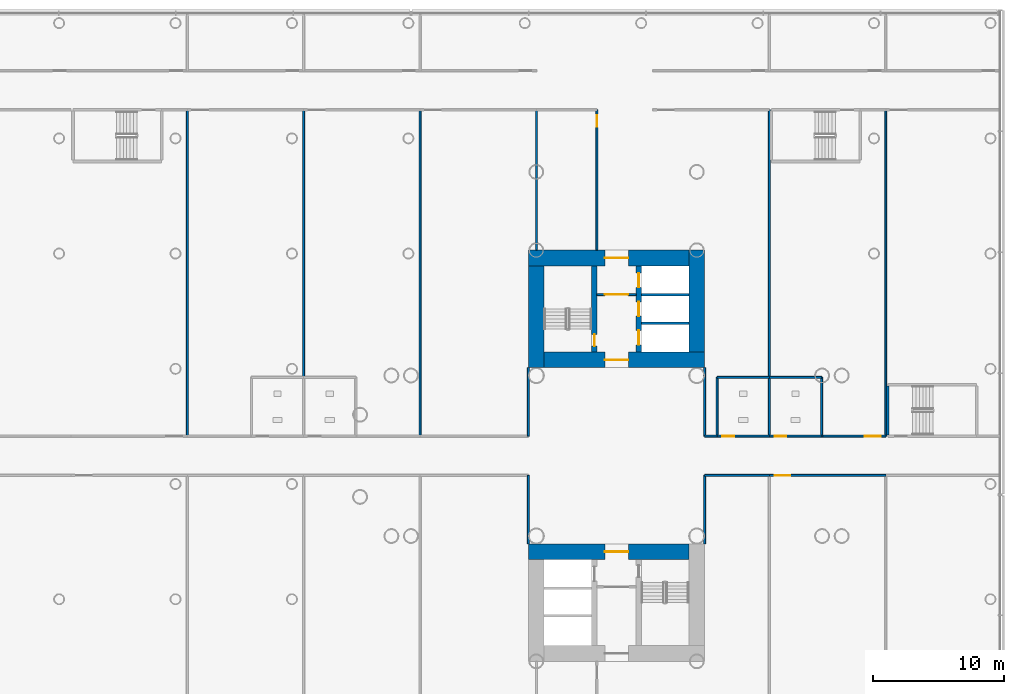
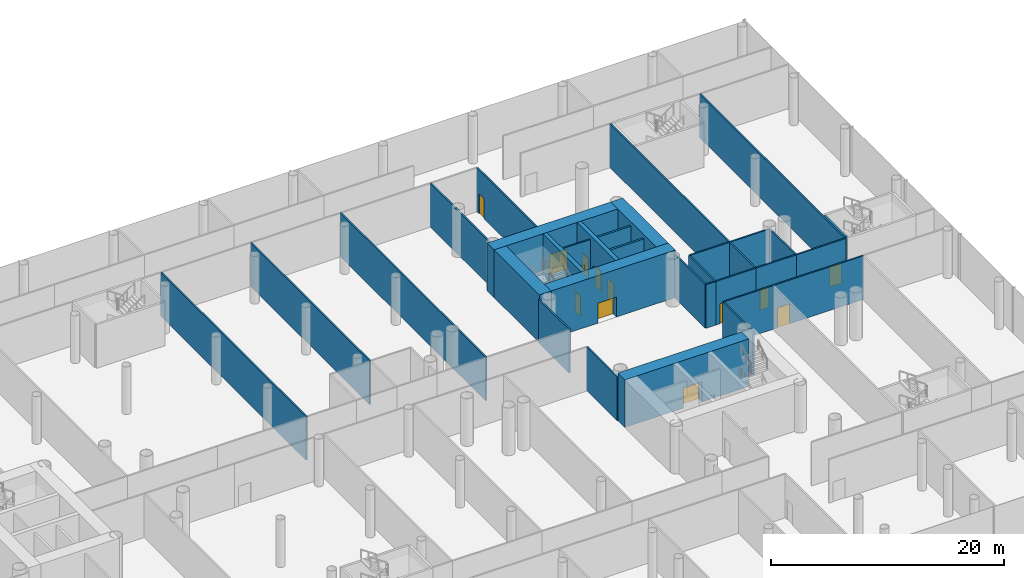
# One storey, part 22 of 59: 33 walls, 13 doors, 13 openings.
"""IFC4 building model written with IfcOpenShell, lengths in metres."""

from ifc_helpers import new_model, si_unit, direction, frame, frame_2d, origin, place, context, subcontext, project, spatial, rectangle, extrude, material, layer, layer_set, type_object, element, fill, save


model = new_model("IFC4")

# Units and contexts
model_context = context("Model", 3, precision=1e-05, world=origin(), true_north=direction((0.0, 1.0)))
body_context = subcontext(model_context, "Body", "Model", "MODEL_VIEW")
ifc_project = project(units=[si_unit("LENGTHUNIT", "METRE"), si_unit("AREAUNIT", "SQUARE_METRE"), si_unit("VOLUMEUNIT", "CUBIC_METRE"), si_unit("PLANEANGLEUNIT", "RADIAN"), si_unit("MASSUNIT", "GRAM", prefix="KILO")], contexts=[model_context])

# Site, building, storey
site_placement = place(None, origin())
site = spatial("IfcSite", under=ifc_project, at=site_placement, CompositionType="ELEMENT")
building_placement = place(site_placement, origin())
building = spatial("IfcBuilding", under=site, at=building_placement, Name="Ipe Terrace Towers", CompositionType="ELEMENT")
storey_placement = place(building_placement, frame((0.0, 0.0, 6.0)))
storey = spatial("IfcBuildingStorey", under=building, at=storey_placement, Name="L01", CompositionType="ELEMENT", Elevation=6.0)

# Wall, opening, door
ifc_material_1 = material(Name="Gypsum board partition", Category="plasterboard")
ifc_layer_1 = layer(ifc_material_1, 0.14990234375)
ifc_layer_set_1 = layer_set([ifc_layer_1], Name="Gypsum board partition 150 mm")
wall_type_1 = type_object("IfcWallType", Name="Gypsum board partition 150 mm", PredefinedType="PARTITIONING", material=ifc_layer_set_1)
wall_1_placement = place(storey_placement, frame((37.5, 12.35009765625, 0.0), z_axis=(0.0, 0.0, 1.0), x_axis=(-1.0, 0.0, 0.0)))
wall_1 = element("IfcWall", 1, at=wall_1_placement, inside=storey, type_object=wall_type_1, Name="Gypsum board partition T2 L01 t2c1-lobby-wall", PredefinedType="PARTITIONING", context=body_context, shape_type="SweptSolid", body=[
    extrude(rectangle(XDim=3.0, YDim=0.14990234375, at=frame_2d((1.5, 0.0))), origin(), (0.0, 0.0, 1.0), 4.580078125),
])
opening_1_placement = place(wall_1_placement, frame((0.60009765625, 0.0, 0.0)))
opening_1 = element("IfcOpeningElement", 2, at=opening_1_placement, cuts=wall_1, Name="Opening T2C1-VD", PredefinedType="OPENING", context=body_context, shape_type="SweptSolid", body=[
    extrude(rectangle(XDim=1.800048828125, YDim=2.10009765625, at=frame_2d((0.89990234375, 1.050048828125))), frame((0.0, 0.0849609375, 0.0), z_axis=(0.0, -1.0, 0.0), x_axis=(1.0, 0.0, 0.0)), (0.0, 0.0, 1.0), 0.169921875),
])
ifc_material_2 = material(Name="Fire-rated timber door leaf", Category="wood")
door_type_1 = type_object("IfcDoorType", Name="Lobby door 1800 x 2100 FD60", OperationType="NOTDEFINED", PredefinedType="DOOR", material=ifc_material_2)
door_1_placement = place(opening_1_placement, origin())
door_1 = element("IfcDoor", 3, at=door_1_placement, inside=storey, type_object=door_type_1, Name="Lobby door T2C1-VD", OperationType="SINGLE_SWING_LEFT", OverallHeight=2.10009765625, OverallWidth=1.800048828125, PredefinedType="DOOR", context=body_context, shape_type="SweptSolid", body=[
    extrude(rectangle(XDim=1.800048828125, YDim=2.10009765625, at=frame_2d((0.89990234375, 1.050048828125))), frame((0.0, 0.02490234375, 0.0), z_axis=(0.0, -1.0, 0.0), x_axis=(1.0, 0.0, 0.0)), (0.0, 0.0, 1.0), 0.050048828125),
])
fill(opening_1, door_1)

# Walls
wall_2_placement = place(storey_placement, frame((3.110107421875, 26.5, 0.0), z_axis=(0.0, 0.0, 1.0), x_axis=(0.0, -1.0, 0.0)))
element("IfcWall", 4, at=wall_2_placement, inside=storey, type_object=wall_type_1, Name="Gypsum board partition T2 L01 pd-r31-r32-w9", PredefinedType="PARTITIONING", context=body_context, shape_type="SweptSolid", body=[
    extrude(rectangle(XDim=25.0, YDim=0.14990234375, at=frame_2d((12.5, 0.0))), origin(), (0.0, 0.0, 1.0), 4.580078125),
])
wall_3_placement = place(storey_placement, frame((12.030029296875, 26.5, 0.0), z_axis=(0.0, 0.0, 1.0), x_axis=(0.0, -1.0, 0.0)))
element("IfcWall", 5, at=wall_3_placement, inside=storey, type_object=wall_type_1, Name="Gypsum board partition T2 L01 pd-r32-r39-w12", PredefinedType="PARTITIONING", context=body_context, shape_type="SweptSolid", body=[
    extrude(rectangle(XDim=20.5, YDim=0.14990234375, at=frame_2d((10.25, 0.0))), origin(), (0.0, 0.0, 1.0), 4.580078125),
])
wall_4_placement = place(storey_placement, frame((20.949951171875, 26.5, 0.0), z_axis=(0.0, 0.0, 1.0), x_axis=(0.0, -1.0, 0.0)))
element("IfcWall", 6, at=wall_4_placement, inside=storey, type_object=wall_type_1, Name="Gypsum board partition T2 L01 pd-r39-r41-w29", PredefinedType="PARTITIONING", context=body_context, shape_type="SweptSolid", body=[
    extrude(rectangle(XDim=25.0, YDim=0.14990234375, at=frame_2d((12.5, 0.0))), origin(), (0.0, 0.0, 1.0), 4.580078125),
])
for number, where, z_axis, x_axis, name in (
    (7, (29.25, -1.5, 0.0), (0.0, 0.0, 1.0), (0.0, -1.0, 0.0), "Gypsum board partition T2 L01 pd-r40-w30"),
    (8, (29.25, 6.75, 0.0), (0.0, 0.0, 1.0), (0.0, -1.0, 0.0), "Gypsum board partition T2 L01 pd-r41-w35"),
):
    element("IfcWall", number, at=place(storey_placement, frame(where, z_axis=z_axis, x_axis=x_axis)), inside=storey, type_object=wall_type_1, Name=name, PredefinedType="PARTITIONING", context=body_context, shape_type="SweptSolid", body=[
        extrude(rectangle(XDim=5.25, YDim=0.14990234375, at=frame_2d((2.625, 0.0))), origin(), (0.0, 0.0, 1.0), 4.580078125),
    ])
wall_5_placement = place(storey_placement, frame((29.8701171875, 26.5, 0.0), z_axis=(0.0, 0.0, 1.0), x_axis=(0.0, -1.0, 0.0)))
element("IfcWall", 9, at=wall_5_placement, inside=storey, type_object=wall_type_1, Name="Gypsum board partition T2 L01 pd-r41-r46-w37", PredefinedType="PARTITIONING", context=body_context, shape_type="SweptSolid", body=[
    extrude(rectangle(XDim=10.75, YDim=0.14990234375, at=frame_2d((5.375, 0.0))), origin(), (0.0, 0.0, 1.0), 4.580078125),
])

# Wall, opening, door
wall_6_placement = place(storey_placement, frame((34.5, 26.5, 0.0), z_axis=(0.0, 0.0, 1.0), x_axis=(0.0, -1.0, 0.0)))
wall_6 = element("IfcWall", 10, at=wall_6_placement, inside=storey, type_object=wall_type_1, Name="Gypsum board partition T2 L01 pd-r46-w45", PredefinedType="PARTITIONING", context=body_context, shape_type="SweptSolid", body=[
    extrude(rectangle(XDim=10.75, YDim=0.14990234375, at=frame_2d((5.375, 0.0))), origin(), (0.0, 0.0, 1.0), 4.580078125),
])
opening_2_placement = place(wall_6_placement, frame((0.39990234375, 0.0, 0.0)))
opening_2 = element("IfcOpeningElement", 11, at=opening_2_placement, cuts=wall_6, Name="Opening PD-L01-r46", PredefinedType="OPENING", context=body_context, shape_type="SweptSolid", body=[
    extrude(rectangle(XDim=0.89990234375, YDim=2.10009765625, at=frame_2d((0.449951171875, 1.050048828125))), frame((0.0, 0.0849609375, 0.0), z_axis=(0.0, -1.0, 0.0), x_axis=(1.0, 0.0, 0.0)), (0.0, 0.0, 1.0), 0.169921875),
])
ifc_material_3 = material(Name="Fire-rated timber door leaf", Category="wood")
door_type_2 = type_object("IfcDoorType", Name="Lounge door 900 x 2100 FD30S", OperationType="NOTDEFINED", PredefinedType="DOOR", material=ifc_material_3)
door_2_placement = place(opening_2_placement, origin())
door_2 = element("IfcDoor", 12, at=door_2_placement, inside=storey, type_object=door_type_2, Name="Lounge door PD-L01-r46", OperationType="SINGLE_SWING_RIGHT", OverallHeight=2.10009765625, OverallWidth=0.89990234375, PredefinedType="DOOR", context=body_context, shape_type="SweptSolid", body=[
    extrude(rectangle(XDim=0.89990234375, YDim=2.10009765625, at=frame_2d((0.449951171875, 1.050048828125))), frame((0.0, 0.02490234375, 0.0), z_axis=(0.0, -1.0, 0.0), x_axis=(1.0, 0.0, 0.0)), (0.0, 0.0, 1.0), 0.050048828125),
])
fill(opening_2, door_2)

# Walls
wall_7_placement = place(storey_placement, frame((43.7099609375, 1.5, 0.0), z_axis=(0.0, 0.0, 1.0), x_axis=(-1.0, 0.0, 0.0)))
element("IfcWall", 13, at=wall_7_placement, inside=storey, type_object=wall_type_1, Name="Gypsum board partition T2 L01 pd-r49-w51", PredefinedType="PARTITIONING", context=body_context, shape_type="SweptSolid", body=[
    extrude(rectangle(XDim=0.9599609375, YDim=0.14990234375, at=frame_2d((0.47998046875, 0.0))), origin(), (0.0, 0.0, 1.0), 4.580078125),
])
wall_8_placement = place(storey_placement, frame((42.75, 1.5, 0.0), z_axis=(0.0, 0.0, 1.0), x_axis=(0.0, 1.0, 0.0)))
element("IfcWall", 14, at=wall_8_placement, inside=storey, type_object=wall_type_1, Name="Gypsum board partition T2 L01 pd-r49-w52", PredefinedType="PARTITIONING", context=body_context, shape_type="SweptSolid", body=[
    extrude(rectangle(XDim=5.25, YDim=0.14990234375, at=frame_2d((2.625, 0.0))), origin(), (0.0, 0.0, 1.0), 4.580078125),
])
wall_9_placement = place(storey_placement, frame((47.7099609375, 26.5, 0.0), z_axis=(0.0, 0.0, 1.0), x_axis=(0.0, -1.0, 0.0)))
element("IfcWall", 15, at=wall_9_placement, inside=storey, type_object=wall_type_1, Name="Gypsum board partition T2 L01 pd-r49-r54-w54", PredefinedType="PARTITIONING", context=body_context, shape_type="SweptSolid", body=[
    extrude(rectangle(XDim=20.5, YDim=0.14990234375, at=frame_2d((10.25, 0.0))), origin(), (0.0, 0.0, 1.0), 4.580078125),
])
wall_10_placement = place(storey_placement, frame((42.75, -6.75, 0.0), z_axis=(0.0, 0.0, 1.0), x_axis=(0.0, 1.0, 0.0)))
element("IfcWall", 16, at=wall_10_placement, inside=storey, type_object=wall_type_1, Name="Gypsum board partition T2 L01 pd-r50-w55", PredefinedType="PARTITIONING", context=body_context, shape_type="SweptSolid", body=[
    extrude(rectangle(XDim=5.25, YDim=0.14990234375, at=frame_2d((2.625, 0.0))), origin(), (0.0, 0.0, 1.0), 4.580078125),
])
wall_11_placement = place(storey_placement, frame((42.75, -1.5, 0.0), z_axis=(0.0, 0.0, 1.0), x_axis=(1.0, 0.0, 0.0)))
element("IfcWall", 17, at=wall_11_placement, inside=storey, type_object=wall_type_1, Name="Gypsum board partition T2 L01 pd-r50-w56", PredefinedType="PARTITIONING", context=body_context, shape_type="SweptSolid", body=[
    extrude(rectangle(XDim=4.9599609375, YDim=0.14990234375, at=frame_2d((2.47998046875, 0.0))), origin(), (0.0, 0.0, 1.0), 4.580078125),
])

# Wall, opening, door
wall_12_placement = place(storey_placement, frame((47.7099609375, -1.5, 0.0), z_axis=(0.0, 0.0, 1.0), x_axis=(1.0, 0.0, 0.0)))
wall_12 = element("IfcWall", 18, at=wall_12_placement, inside=storey, type_object=wall_type_1, Name="Gypsum board partition T2 L01 pd-r53-w64", PredefinedType="PARTITIONING", context=body_context, shape_type="SweptSolid", body=[
    extrude(rectangle(XDim=8.919921875, YDim=0.14990234375, at=frame_2d((4.4599609375, 0.0))), origin(), (0.0, 0.0, 1.0), 4.580078125),
])
opening_3_placement = place(wall_12_placement, frame((0.39990234375, 0.0, 0.0)))
opening_3 = element("IfcOpeningElement", 19, at=opening_3_placement, cuts=wall_12, Name="Opening PD-L01-r53", PredefinedType="OPENING", context=body_context, shape_type="SweptSolid", body=[
    extrude(rectangle(XDim=1.199951171875, YDim=2.10009765625, at=frame_2d((0.60009765625, 1.050048828125))), frame((0.0, 0.0849609375, 0.0), z_axis=(0.0, -1.0, 0.0), x_axis=(1.0, 0.0, 0.0)), (0.0, 0.0, 1.0), 0.169921875),
])
ifc_material_4 = material(Name="Fire-rated timber door leaf", Category="wood")
door_type_3 = type_object("IfcDoorType", Name="Lounge door 1200 x 2100 FD30S", OperationType="NOTDEFINED", PredefinedType="DOOR", material=ifc_material_4)
door_3_placement = place(opening_3_placement, origin())
door_3 = element("IfcDoor", 20, at=door_3_placement, inside=storey, type_object=door_type_3, Name="Lounge door PD-L01-r53", OperationType="SINGLE_SWING_RIGHT", OverallHeight=2.10009765625, OverallWidth=1.199951171875, PredefinedType="DOOR", context=body_context, shape_type="SweptSolid", body=[
    extrude(rectangle(XDim=1.199951171875, YDim=2.10009765625, at=frame_2d((0.60009765625, 1.050048828125))), frame((0.0, 0.02490234375, 0.0), z_axis=(0.0, -1.0, 0.0), x_axis=(1.0, 0.0, 0.0)), (0.0, 0.0, 1.0), 0.050048828125),
])
fill(opening_3, door_3)

wall_13_placement = place(storey_placement, frame((56.6298828125, 1.5, 0.0), z_axis=(0.0, 0.0, 1.0), x_axis=(-1.0, 0.0, 0.0)))
wall_13 = element("IfcWall", 21, at=wall_13_placement, inside=storey, type_object=wall_type_1, Name="Gypsum board partition T2 L01 pd-r54-w67", PredefinedType="PARTITIONING", context=body_context, shape_type="SweptSolid", body=[
    extrude(rectangle(XDim=4.919921875, YDim=0.14990234375, at=frame_2d((2.4599609375, 0.0))), origin(), (0.0, 0.0, 1.0), 4.580078125),
])
opening_4_placement = place(wall_13_placement, frame((0.39990234375, 0.0, 0.0)))
opening_4 = element("IfcOpeningElement", 22, at=opening_4_placement, cuts=wall_13, Name="Opening PD-L01-r54", PredefinedType="OPENING", context=body_context, shape_type="SweptSolid", body=[
    extrude(rectangle(XDim=1.199951171875, YDim=2.10009765625, at=frame_2d((0.60009765625, 1.050048828125))), frame((0.0, 0.0849609375, 0.0), z_axis=(0.0, -1.0, 0.0), x_axis=(1.0, 0.0, 0.0)), (0.0, 0.0, 1.0), 0.169921875),
])
door_4_placement = place(opening_4_placement, origin())
door_4 = element("IfcDoor", 23, at=door_4_placement, inside=storey, type_object=door_type_3, Name="Lounge door PD-L01-r54", OperationType="SINGLE_SWING_RIGHT", OverallHeight=2.10009765625, OverallWidth=1.199951171875, PredefinedType="DOOR", context=body_context, shape_type="SweptSolid", body=[
    extrude(rectangle(XDim=1.199951171875, YDim=2.10009765625, at=frame_2d((0.60009765625, 1.050048828125))), frame((0.0, 0.02490234375, 0.0), z_axis=(0.0, -1.0, 0.0), x_axis=(1.0, 0.0, 0.0)), (0.0, 0.0, 1.0), 0.050048828125),
])
fill(opening_4, door_4)

# Wall
wall_14_placement = place(storey_placement, frame((56.6298828125, 26.5, 0.0), z_axis=(0.0, 0.0, 1.0), x_axis=(0.0, -1.0, 0.0)))
element("IfcWall", 24, at=wall_14_placement, inside=storey, type_object=wall_type_1, Name="Gypsum board partition T2 L01 pd-r54-r58-w68", PredefinedType="PARTITIONING", context=body_context, shape_type="SweptSolid", body=[
    extrude(rectangle(XDim=25.0, YDim=0.14990234375, at=frame_2d((12.5, 0.0))), origin(), (0.0, 0.0, 1.0), 4.580078125),
])

# Wall, opening, door
wall_15_placement = place(storey_placement, frame((43.7099609375, 1.5, 0.0), z_axis=(0.0, 0.0, 1.0), x_axis=(1.0, 0.0, 0.0)))
wall_15 = element("IfcWall", 25, at=wall_15_placement, inside=storey, type_object=wall_type_1, Name="Gypsum board partition T2 L01 pd-c3-w82", PredefinedType="PARTITIONING", context=body_context, shape_type="SweptSolid", body=[
    extrude(rectangle(XDim=4.0, YDim=0.14990234375, at=frame_2d((2.0, 0.0))), origin(), (0.0, 0.0, 1.0), 4.580078125),
])
opening_5_placement = place(wall_15_placement, frame((0.39990234375, 0.0, 0.0)))
opening_5 = element("IfcOpeningElement", 26, at=opening_5_placement, cuts=wall_15, Name="Opening PD-L01-c3", PredefinedType="OPENING", context=body_context, shape_type="SweptSolid", body=[
    extrude(rectangle(XDim=0.89990234375, YDim=2.10009765625, at=frame_2d((0.449951171875, 1.050048828125))), frame((0.0, 0.0849609375, 0.0), z_axis=(0.0, -1.0, 0.0), x_axis=(1.0, 0.0, 0.0)), (0.0, 0.0, 1.0), 0.169921875),
])
door_5_placement = place(opening_5_placement, origin())
door_5 = element("IfcDoor", 27, at=door_5_placement, inside=storey, type_object=door_type_2, Name="Lounge door PD-L01-c3", OperationType="SINGLE_SWING_LEFT", OverallHeight=2.10009765625, OverallWidth=0.89990234375, PredefinedType="DOOR", context=body_context, shape_type="SweptSolid", body=[
    extrude(rectangle(XDim=0.89990234375, YDim=2.10009765625, at=frame_2d((0.449951171875, 1.050048828125))), frame((0.0, 0.02490234375, 0.0), z_axis=(0.0, -1.0, 0.0), x_axis=(1.0, 0.0, 0.0)), (0.0, 0.0, 1.0), 0.050048828125),
])
fill(opening_5, door_5)

# Walls
wall_16_placement = place(storey_placement, frame((47.7099609375, 6.0, 0.0), z_axis=(0.0, 0.0, 1.0), x_axis=(-1.0, 0.0, 0.0)))
element("IfcWall", 28, at=wall_16_placement, inside=storey, type_object=wall_type_1, Name="Gypsum board partition T2 L01 pd-c3-r49-w83", PredefinedType="PARTITIONING", context=body_context, shape_type="SweptSolid", body=[
    extrude(rectangle(XDim=4.0, YDim=0.14990234375, at=frame_2d((2.0, 0.0))), origin(), (0.0, 0.0, 1.0), 4.580078125),
])
for number, where, z_axis, x_axis, name in (
    (29, (43.7099609375, 6.0, 0.0), (0.0, 0.0, 1.0), (0.0, -1.0, 0.0), "Gypsum board partition T2 L01 pd-c3-r49-w84"),
    (30, (47.7099609375, 1.5, 0.0), (0.0, 0.0, 1.0), (0.0, 1.0, 0.0), "Gypsum board partition T2 L01 pd-c3-c4-w85"),
):
    element("IfcWall", number, at=place(storey_placement, frame(where, z_axis=z_axis, x_axis=x_axis)), inside=storey, type_object=wall_type_1, Name=name, PredefinedType="PARTITIONING", context=body_context, shape_type="SweptSolid", body=[
        extrude(rectangle(XDim=4.5, YDim=0.14990234375, at=frame_2d((2.25, 0.0))), origin(), (0.0, 0.0, 1.0), 4.580078125),
    ])

# Wall, opening, door
wall_17_placement = place(storey_placement, frame((47.7099609375, 1.5, 0.0), z_axis=(0.0, 0.0, 1.0), x_axis=(1.0, 0.0, 0.0)))
wall_17 = element("IfcWall", 31, at=wall_17_placement, inside=storey, type_object=wall_type_1, Name="Gypsum board partition T2 L01 pd-c4-w86", PredefinedType="PARTITIONING", context=body_context, shape_type="SweptSolid", body=[
    extrude(rectangle(XDim=4.0, YDim=0.14990234375, at=frame_2d((2.0, 0.0))), origin(), (0.0, 0.0, 1.0), 4.580078125),
])
opening_6_placement = place(wall_17_placement, frame((0.39990234375, 0.0, 0.0)))
opening_6 = element("IfcOpeningElement", 32, at=opening_6_placement, cuts=wall_17, Name="Opening PD-L01-c4", PredefinedType="OPENING", context=body_context, shape_type="SweptSolid", body=[
    extrude(rectangle(XDim=0.89990234375, YDim=2.10009765625, at=frame_2d((0.449951171875, 1.050048828125))), frame((0.0, 0.0849609375, 0.0), z_axis=(0.0, -1.0, 0.0), x_axis=(1.0, 0.0, 0.0)), (0.0, 0.0, 1.0), 0.169921875),
])
door_6_placement = place(opening_6_placement, origin())
door_6 = element("IfcDoor", 33, at=door_6_placement, inside=storey, type_object=door_type_2, Name="Lounge door PD-L01-c4", OperationType="SINGLE_SWING_LEFT", OverallHeight=2.10009765625, OverallWidth=0.89990234375, PredefinedType="DOOR", context=body_context, shape_type="SweptSolid", body=[
    extrude(rectangle(XDim=0.89990234375, YDim=2.10009765625, at=frame_2d((0.449951171875, 1.050048828125))), frame((0.0, 0.02490234375, 0.0), z_axis=(0.0, -1.0, 0.0), x_axis=(1.0, 0.0, 0.0)), (0.0, 0.0, 1.0), 0.050048828125),
])
fill(opening_6, door_6)

# Walls
wall_18_placement = place(storey_placement, frame((51.7099609375, 1.5, 0.0), z_axis=(0.0, 0.0, 1.0), x_axis=(0.0, 1.0, 0.0)))
element("IfcWall", 34, at=wall_18_placement, inside=storey, type_object=wall_type_1, Name="Gypsum board partition T2 L01 pd-c4-r54-w87", PredefinedType="PARTITIONING", context=body_context, shape_type="SweptSolid", body=[
    extrude(rectangle(XDim=4.5, YDim=0.14990234375, at=frame_2d((2.25, 0.0))), origin(), (0.0, 0.0, 1.0), 4.580078125),
])
wall_19_placement = place(storey_placement, frame((51.7099609375, 6.0, 0.0), z_axis=(0.0, 0.0, 1.0), x_axis=(-1.0, 0.0, 0.0)))
element("IfcWall", 35, at=wall_19_placement, inside=storey, type_object=wall_type_1, Name="Gypsum board partition T2 L01 pd-c4-r54-w88", PredefinedType="PARTITIONING", context=body_context, shape_type="SweptSolid", body=[
    extrude(rectangle(XDim=4.0, YDim=0.14990234375, at=frame_2d((2.0, 0.0))), origin(), (0.0, 0.0, 1.0), 4.580078125),
])
ifc_material_5 = material(Name="Gypsum board party wall", Category="plasterboard")
ifc_layer_2 = layer(ifc_material_5, 0.199951171875)
ifc_layer_set_2 = layer_set([ifc_layer_2], Name="Gypsum board party wall 200 mm")
wall_type_2 = type_object("IfcWallType", Name="Gypsum board party wall 200 mm", PredefinedType="SOLIDWALL", material=ifc_layer_set_2)
for number, where, z_axis, x_axis, name in (
    (36, (41.550048828125, 10.14990234375, 0.0), (0.0, 0.0, 1.0), (-1.0, 0.0, 0.0), "Gypsum board party wall T2 L01 t2c1-shaft-div1"),
    (37, (41.550048828125, 12.35009765625, 0.0), (0.0, 0.0, 1.0), (-1.0, 0.0, 0.0), "Gypsum board party wall T2 L01 t2c1-shaft-div2"),
):
    element("IfcWall", number, at=place(storey_placement, frame(where, z_axis=z_axis, x_axis=x_axis)), inside=storey, type_object=wall_type_2, Name=name, PredefinedType="SOLIDWALL", context=body_context, shape_type="SweptSolid", body=[
        extrude(rectangle(XDim=3.650146484375, YDim=0.199951171875, at=frame_2d((1.8251953125, 0.0))), origin(), (0.0, 0.0, 1.0), 4.580078125),
    ])

# Wall, opening, door
ifc_material_6 = material(Name="Concrete C60/75", Category="concrete")
ifc_layer_3 = layer(ifc_material_6, 1.199951171875)
ifc_layer_set_3 = layer_set([ifc_layer_3], Name="RW1200 CORE WALL 1200 C60-75")
wall_type_3 = type_object("IfcWallType", Name="RW1200 CORE WALL 1200 C60-75", PredefinedType="SHEAR", material=ifc_layer_set_3)
wall_20_placement = place(storey_placement, frame((30.449951171875, 7.35009765625, 0.0), z_axis=(0.0, 0.0, 1.0), x_axis=(1.0, 0.0, 0.0)))
wall_20 = element("IfcWall", 38, at=wall_20_placement, inside=storey, type_object=wall_type_3, Name="Core wall T2-C1-P-W01", PredefinedType="SHEAR", context=body_context, shape_type="SweptSolid", body=[
    extrude(rectangle(XDim=12.300048828125, YDim=1.199951171875, at=frame_2d((6.14990234375, 0.0))), origin(), (0.0, 0.0, 1.0), 5.0),
])
opening_7_placement = place(wall_20_placement, frame((4.64990234375, 0.0, 0.0)))
opening_7 = element("IfcOpeningElement", 39, at=opening_7_placement, cuts=wall_20, Name="Opening T2C1-ND", PredefinedType="OPENING", context=body_context, shape_type="SweptSolid", body=[
    extrude(rectangle(XDim=1.800048828125, YDim=2.10009765625, at=frame_2d((0.89990234375, 1.050048828125))), frame((0.0, 0.60986328125, 0.0), z_axis=(0.0, -1.0, 0.0), x_axis=(1.0, 0.0, 0.0)), (0.0, 0.0, 1.0), 1.219970703125),
])
ifc_material_7 = material(Name="Fire-rated timber door leaf", Category="wood")
door_type_4 = type_object("IfcDoorType", Name="Fire door 1800 x 2100 FD30S", OperationType="NOTDEFINED", PredefinedType="DOOR", material=ifc_material_7)
door_7_placement = place(opening_7_placement, origin())
door_7 = element("IfcDoor", 40, at=door_7_placement, inside=storey, type_object=door_type_4, Name="Fire door T2C1-ND", OperationType="SINGLE_SWING_LEFT", OverallHeight=2.10009765625, OverallWidth=1.800048828125, PredefinedType="DOOR", context=body_context, shape_type="SweptSolid", body=[
    extrude(rectangle(XDim=1.800048828125, YDim=2.10009765625, at=frame_2d((0.89990234375, 1.050048828125))), frame((0.0, 0.02490234375, 0.0), z_axis=(0.0, -1.0, 0.0), x_axis=(1.0, 0.0, 0.0)), (0.0, 0.0, 1.0), 0.050048828125),
])
fill(opening_7, door_7)

# Wall
wall_21_placement = place(storey_placement, frame((42.14990234375, 7.949951171875, 0.0), z_axis=(0.0, 0.0, 1.0), x_axis=(0.0, 1.0, 0.0)))
element("IfcWall", 41, at=wall_21_placement, inside=storey, type_object=wall_type_3, Name="Core wall T2-C1-P-W02", PredefinedType="SHEAR", context=body_context, shape_type="SweptSolid", body=[
    extrude(rectangle(XDim=7.800048828125, YDim=1.199951171875, at=frame_2d((3.89990234375, 0.0))), origin(), (0.0, 0.0, 1.0), 5.0),
])

# Wall, opening, door
wall_22_placement = place(storey_placement, frame((41.550048828125, 15.14990234375, 0.0), z_axis=(0.0, 0.0, 1.0), x_axis=(-1.0, 0.0, 0.0)))
wall_22 = element("IfcWall", 42, at=wall_22_placement, inside=storey, type_object=wall_type_3, Name="Core wall T2-C1-P-W03", PredefinedType="SHEAR", context=body_context, shape_type="SweptSolid", body=[
    extrude(rectangle(XDim=12.300048828125, YDim=1.199951171875, at=frame_2d((6.14990234375, 0.0))), origin(), (0.0, 0.0, 1.0), 5.0),
])
opening_8_placement = place(wall_22_placement, frame((4.64990234375, 0.0, 0.0)))
opening_8 = element("IfcOpeningElement", 43, at=opening_8_placement, cuts=wall_22, Name="Opening T2C1-FD", PredefinedType="OPENING", context=body_context, shape_type="SweptSolid", body=[
    extrude(rectangle(XDim=1.800048828125, YDim=2.10009765625, at=frame_2d((0.89990234375, 1.050048828125))), frame((0.0, 0.60986328125, 0.0), z_axis=(0.0, -1.0, 0.0), x_axis=(1.0, 0.0, 0.0)), (0.0, 0.0, 1.0), 1.219970703125),
])
door_8_placement = place(opening_8_placement, origin())
door_8 = element("IfcDoor", 44, at=door_8_placement, inside=storey, type_object=door_type_4, Name="Fire door T2C1-FD", OperationType="SINGLE_SWING_LEFT", OverallHeight=2.10009765625, OverallWidth=1.800048828125, PredefinedType="DOOR", context=body_context, shape_type="SweptSolid", body=[
    extrude(rectangle(XDim=1.800048828125, YDim=2.10009765625, at=frame_2d((0.89990234375, 1.050048828125))), frame((0.0, 0.02490234375, 0.0), z_axis=(0.0, -1.0, 0.0), x_axis=(1.0, 0.0, 0.0)), (0.0, 0.0, 1.0), 0.050048828125),
])
fill(opening_8, door_8)

# Wall
wall_23_placement = place(storey_placement, frame((29.85009765625, 14.550048828125, 0.0), z_axis=(0.0, 0.0, 1.0), x_axis=(0.0, -1.0, 0.0)))
element("IfcWall", 45, at=wall_23_placement, inside=storey, type_object=wall_type_3, Name="Core wall T2-C1-P-W04", PredefinedType="SHEAR", context=body_context, shape_type="SweptSolid", body=[
    extrude(rectangle(XDim=7.800048828125, YDim=1.199951171875, at=frame_2d((3.89990234375, 0.0))), origin(), (0.0, 0.0, 1.0), 5.0),
])

# Wall, opening, door
wall_24_placement = place(storey_placement, frame((41.550048828125, -7.35009765625, 0.0), z_axis=(0.0, 0.0, 1.0), x_axis=(-1.0, 0.0, 0.0)))
wall_24 = element("IfcWall", 46, at=wall_24_placement, inside=storey, type_object=wall_type_3, Name="Core wall T2-C2-P-W03", PredefinedType="SHEAR", context=body_context, shape_type="SweptSolid", body=[
    extrude(rectangle(XDim=12.300048828125, YDim=1.199951171875, at=frame_2d((6.14990234375, 0.0))), origin(), (0.0, 0.0, 1.0), 5.0),
])
opening_9_placement = place(wall_24_placement, frame((4.64990234375, 0.0, 0.0)))
opening_9 = element("IfcOpeningElement", 47, at=opening_9_placement, cuts=wall_24, Name="Opening T2C2-ND", PredefinedType="OPENING", context=body_context, shape_type="SweptSolid", body=[
    extrude(rectangle(XDim=1.800048828125, YDim=2.10009765625, at=frame_2d((0.89990234375, 1.050048828125))), frame((0.0, 0.60986328125, 0.0), z_axis=(0.0, -1.0, 0.0), x_axis=(1.0, 0.0, 0.0)), (0.0, 0.0, 1.0), 1.219970703125),
])
door_9_placement = place(opening_9_placement, origin())
door_9 = element("IfcDoor", 48, at=door_9_placement, inside=storey, type_object=door_type_4, Name="Fire door T2C2-ND", OperationType="SINGLE_SWING_LEFT", OverallHeight=2.10009765625, OverallWidth=1.800048828125, PredefinedType="DOOR", context=body_context, shape_type="SweptSolid", body=[
    extrude(rectangle(XDim=1.800048828125, YDim=2.10009765625, at=frame_2d((0.89990234375, 1.050048828125))), frame((0.0, 0.02490234375, 0.0), z_axis=(0.0, -1.0, 0.0), x_axis=(1.0, 0.0, 0.0)), (0.0, 0.0, 1.0), 0.050048828125),
])
fill(opening_9, door_9)

# Wall
ifc_material_8 = material(Name="Concrete C40/50", Category="concrete")
ifc_layer_4 = layer(ifc_material_8, 0.199951171875)
ifc_layer_set_4 = layer_set([ifc_layer_4], Name="RW200 PODIUM STAIR SHAFT WALL 200 C40-50")
wall_type_4 = type_object("IfcWallType", Name="RW200 PODIUM STAIR SHAFT WALL 200 C40-50", PredefinedType="SHEAR", material=ifc_layer_set_4)
wall_25_placement = place(storey_placement, frame((56.7900390625, 1.60009765625, 0.0), z_axis=(0.0, 0.0, 1.0), x_axis=(0.0, 1.0, 0.0)))
element("IfcWall", 49, at=wall_25_placement, inside=storey, type_object=wall_type_4, Name="Stair shaft wall T2 L01 ps8-w", PredefinedType="SHEAR", context=body_context, shape_type="SweptSolid", body=[
    extrude(rectangle(XDim=3.75, YDim=0.199951171875, at=frame_2d((1.875, 0.0))), origin(), (0.0, 0.0, 1.0), 4.580078125),
])

# Wall, opening, door
ifc_material_9 = material(Name="Concrete C60/75", Category="concrete")
ifc_layer_5 = layer(ifc_material_9, 0.39990234375)
ifc_layer_set_5 = layer_set([ifc_layer_5], Name="RW400 CORE SPINE WALL 400 C60-75")
wall_type_5 = type_object("IfcWallType", Name="RW400 CORE SPINE WALL 400 C60-75", PredefinedType="SHEAR", material=ifc_layer_set_5)
wall_26_placement = place(storey_placement, frame((34.300048828125, 7.949951171875, 0.0), z_axis=(0.0, 0.0, 1.0), x_axis=(0.0, 1.0, 0.0)))
wall_26 = element("IfcWall", 50, at=wall_26_placement, inside=storey, type_object=wall_type_5, Name="Core spine wall T2-C1-P-SW1", PredefinedType="SHEAR", context=body_context, shape_type="SweptSolid", body=[
    extrude(rectangle(XDim=6.60009765625, YDim=0.39990234375, at=frame_2d((3.300048828125, 0.0))), origin(), (0.0, 0.0, 1.0), 5.0),
])
opening_10_placement = place(wall_26_placement, frame((0.449951171875, 0.0, 0.0)))
opening_10 = element("IfcOpeningElement", 51, at=opening_10_placement, cuts=wall_26, Name="Opening T2C1-SD", PredefinedType="OPENING", context=body_context, shape_type="SweptSolid", body=[
    extrude(rectangle(XDim=0.89990234375, YDim=2.10009765625, at=frame_2d((0.449951171875, 1.050048828125))), frame((0.0, 0.2099609375, 0.0), z_axis=(0.0, -1.0, 0.0), x_axis=(1.0, 0.0, 0.0)), (0.0, 0.0, 1.0), 0.419921875),
])
ifc_material_10 = material(Name="Fire-rated timber door leaf", Category="wood")
door_type_5 = type_object("IfcDoorType", Name="Stair door 900 x 2100 FD60", OperationType="NOTDEFINED", PredefinedType="DOOR", material=ifc_material_10)
door_10_placement = place(opening_10_placement, origin())
door_10 = element("IfcDoor", 52, at=door_10_placement, inside=storey, type_object=door_type_5, Name="Stair door T2C1-SD", OperationType="SINGLE_SWING_LEFT", OverallHeight=2.10009765625, OverallWidth=0.89990234375, PredefinedType="DOOR", context=body_context, shape_type="SweptSolid", body=[
    extrude(rectangle(XDim=0.89990234375, YDim=2.10009765625, at=frame_2d((0.449951171875, 1.050048828125))), frame((0.0, 0.02490234375, 0.0), z_axis=(0.0, -1.0, 0.0), x_axis=(1.0, 0.0, 0.0)), (0.0, 0.0, 1.0), 0.050048828125),
])
fill(opening_10, door_10)

# Wall, openings, doors
wall_27_placement = place(storey_placement, frame((37.699951171875, 7.949951171875, 0.0), z_axis=(0.0, 0.0, 1.0), x_axis=(0.0, 1.0, 0.0)))
wall_27 = element("IfcWall", 53, at=wall_27_placement, inside=storey, type_object=wall_type_5, Name="Core spine wall T2-C1-P-SW2", PredefinedType="SHEAR", context=body_context, shape_type="SweptSolid", body=[
    extrude(rectangle(XDim=6.60009765625, YDim=0.39990234375, at=frame_2d((3.300048828125, 0.0))), origin(), (0.0, 0.0, 1.0), 5.0),
])
opening_11_placement = place(wall_27_placement, frame((0.550048828125, 0.0, 0.0)))
opening_11 = element("IfcOpeningElement", 54, at=opening_11_placement, cuts=wall_27, Name="Opening T2C1-LD1", PredefinedType="OPENING", context=body_context, shape_type="SweptSolid", body=[
    extrude(rectangle(XDim=1.10009765625, YDim=2.10009765625, at=frame_2d((0.550048828125, 1.050048828125))), frame((0.0, 0.2099609375, 0.0), z_axis=(0.0, -1.0, 0.0), x_axis=(1.0, 0.0, 0.0)), (0.0, 0.0, 1.0), 0.419921875),
])
opening_12_placement = place(wall_27_placement, frame((2.75, 0.0, 0.0)))
opening_12 = element("IfcOpeningElement", 55, at=opening_12_placement, cuts=wall_27, Name="Opening T2C1-LD2", PredefinedType="OPENING", context=body_context, shape_type="SweptSolid", body=[
    extrude(rectangle(XDim=1.10009765625, YDim=2.10009765625, at=frame_2d((0.550048828125, 1.050048828125))), frame((0.0, 0.2099609375, 0.0), z_axis=(0.0, -1.0, 0.0), x_axis=(1.0, 0.0, 0.0)), (0.0, 0.0, 1.0), 0.419921875),
])
opening_13_placement = place(wall_27_placement, frame((4.949951171875, 0.0, 0.0)))
opening_13 = element("IfcOpeningElement", 56, at=opening_13_placement, cuts=wall_27, Name="Opening T2C1-LD3", PredefinedType="OPENING", context=body_context, shape_type="SweptSolid", body=[
    extrude(rectangle(XDim=1.10009765625, YDim=2.10009765625, at=frame_2d((0.550048828125, 1.050048828125))), frame((0.0, 0.2099609375, 0.0), z_axis=(0.0, -1.0, 0.0), x_axis=(1.0, 0.0, 0.0)), (0.0, 0.0, 1.0), 0.419921875),
])
ifc_material_11 = material(Name="Fire-rated timber door leaf", Category="wood")
door_type_6 = type_object("IfcDoorType", Name="Sliding door 1100 x 2100 FD60", OperationType="SLIDING_TO_LEFT", PredefinedType="DOOR", material=ifc_material_11)
door_11_placement = place(opening_11_placement, origin())
door_11 = element("IfcDoor", 57, at=door_11_placement, inside=storey, type_object=door_type_6, Name="Sliding door T2C1-LD1", OperationType="SLIDING_TO_LEFT", OverallHeight=2.10009765625, OverallWidth=1.10009765625, PredefinedType="DOOR", context=body_context, shape_type="SweptSolid", body=[
    extrude(rectangle(XDim=1.10009765625, YDim=2.10009765625, at=frame_2d((0.550048828125, 1.050048828125))), frame((0.0, 0.02490234375, 0.0), z_axis=(0.0, -1.0, 0.0), x_axis=(1.0, 0.0, 0.0)), (0.0, 0.0, 1.0), 0.050048828125),
])
fill(opening_11, door_11)
door_12_placement = place(opening_12_placement, origin())
door_12 = element("IfcDoor", 58, at=door_12_placement, inside=storey, type_object=door_type_6, Name="Sliding door T2C1-LD2", OperationType="SLIDING_TO_LEFT", OverallHeight=2.10009765625, OverallWidth=1.10009765625, PredefinedType="DOOR", context=body_context, shape_type="SweptSolid", body=[
    extrude(rectangle(XDim=1.10009765625, YDim=2.10009765625, at=frame_2d((0.550048828125, 1.050048828125))), frame((0.0, 0.02490234375, 0.0), z_axis=(0.0, -1.0, 0.0), x_axis=(1.0, 0.0, 0.0)), (0.0, 0.0, 1.0), 0.050048828125),
])
fill(opening_12, door_12)
door_13_placement = place(opening_13_placement, origin())
door_13 = element("IfcDoor", 59, at=door_13_placement, inside=storey, type_object=door_type_6, Name="Sliding door T2C1-LD3", OperationType="SLIDING_TO_LEFT", OverallHeight=2.10009765625, OverallWidth=1.10009765625, PredefinedType="DOOR", context=body_context, shape_type="SweptSolid", body=[
    extrude(rectangle(XDim=1.10009765625, YDim=2.10009765625, at=frame_2d((0.550048828125, 1.050048828125))), frame((0.0, 0.02490234375, 0.0), z_axis=(0.0, -1.0, 0.0), x_axis=(1.0, 0.0, 0.0)), (0.0, 0.0, 1.0), 0.050048828125),
])
fill(opening_13, door_13)

save(model, "model.ifc")
